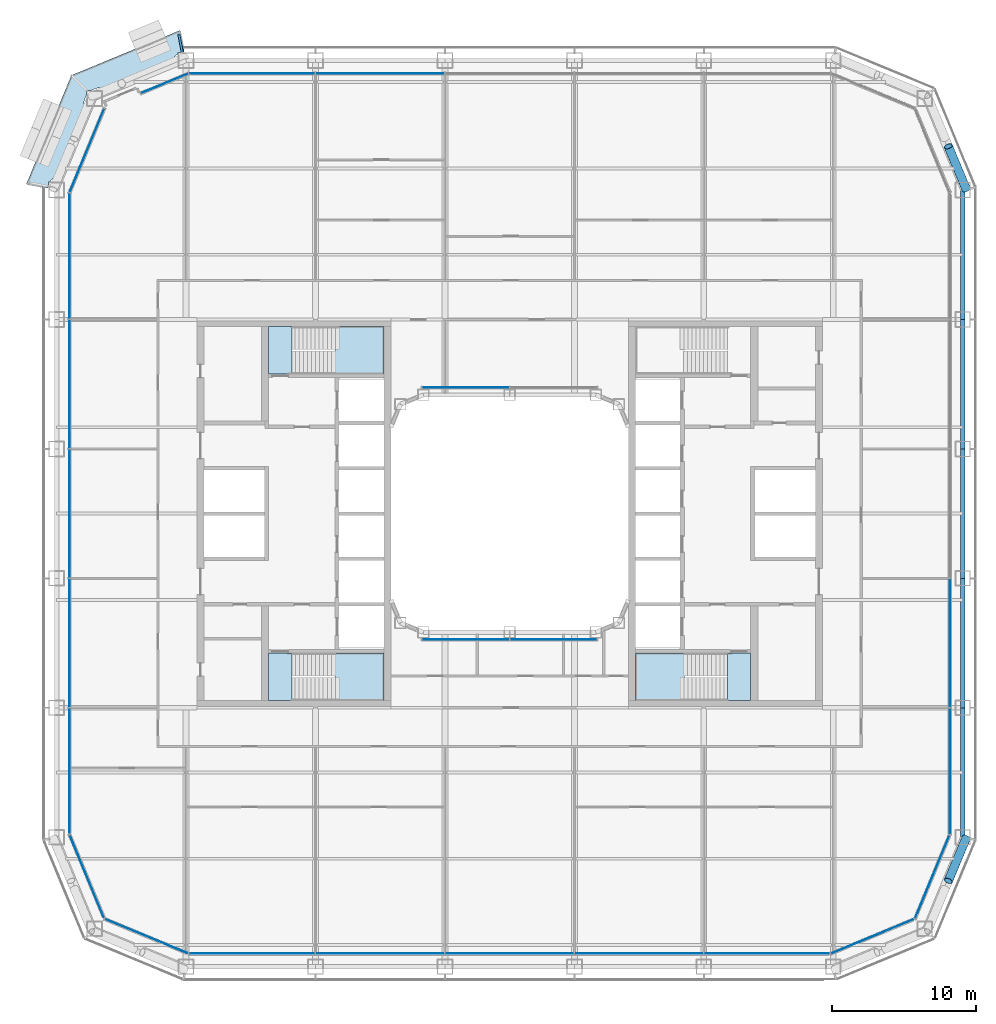
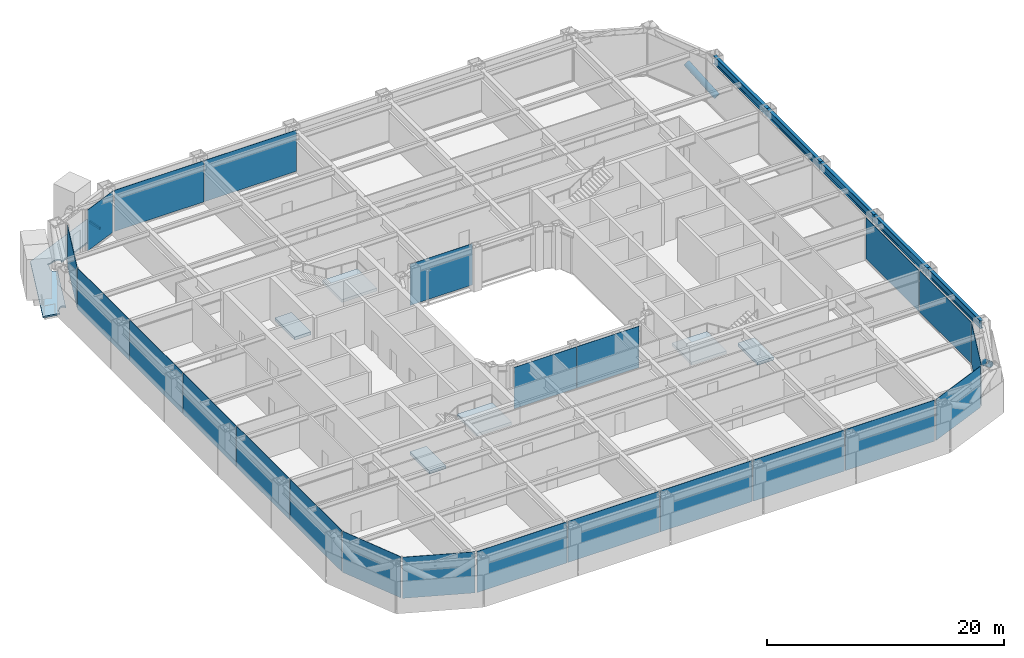
# One storey, part 11 of 28: 23 plates, 7 slabs, 6 beams, 2 members, 15 elements without a shape of their own.
"""IFC4 building model written with IfcOpenShell, lengths in metres."""

from ifc_helpers import new_model, si_unit, direction, frame, origin, origin_2d, place, context, subcontext, project, spatial, polyline, rectangle, hollow_rectangle, hollow_circle, i_section, outline, extrude, material, layer, layer_set, material_profile, profile_set, type_object, element, aggregate, save


model = new_model("IFC4")

# Units and contexts
model_context = context("Model", 3, precision=1e-05, world=origin(), true_north=direction((0.0, 1.0)))
body_context = subcontext(model_context, "Body", "Model", "MODEL_VIEW")
ifc_project = project(units=[si_unit("LENGTHUNIT", "METRE"), si_unit("AREAUNIT", "SQUARE_METRE"), si_unit("VOLUMEUNIT", "CUBIC_METRE"), si_unit("PLANEANGLEUNIT", "RADIAN"), si_unit("MASSUNIT", "GRAM", prefix="KILO")], contexts=[model_context])

# Site, building, storey
site_placement = place(None, origin())
site = spatial("IfcSite", under=ifc_project, at=site_placement, CompositionType="ELEMENT")
building_placement = place(site_placement, origin())
building = spatial("IfcBuilding", under=site, at=building_placement, Name="Siwar Civic Tower", CompositionType="ELEMENT")
storey_placement = place(building_placement, frame((0.0, 0.0, 31.199951171875)))
storey = spatial("IfcBuildingStorey", under=building, at=storey_placement, Name="L06", CompositionType="ELEMENT", Elevation=31.199951171875)

# Beam
ifc_material_1 = material(Name="Steel S355", Category="steel")
ifc_material_profile_1 = material_profile(ifc_material_1, hollow_rectangle(XDim=0.14990234375, YDim=0.25, WallThickness=0.010009765625, at=origin_2d()), Name="RHS250x150x10")
ifc_profile_set_1 = profile_set([ifc_material_profile_1], Name="Steel S355")
beam_type_1 = type_object("IfcBeamType", Name="ENV-BALCONY ARM", PredefinedType="BEAM", material=ifc_profile_set_1)
beam_placement = place(storey_placement, frame((-22.754150390625, 32.059814453125, -0.27490234375), z_axis=(-0.195017144127, 0.980799833553, 0.0), x_axis=(-0.980799833553, -0.195017144127, 0.0)))
element("IfcBeam", 1, at=beam_placement, inside=storey, type_object=beam_type_1, Name="Balcony cantilever beam NW 1", PredefinedType="BEAM", context=body_context, shape_type="SweptSolid", body=[
    extrude(hollow_rectangle(XDim=0.14990234375, YDim=0.25, WallThickness=0.010009765625, at=origin_2d()), origin(), (0.0, 0.0, 1.0), 1.324462890625),
])

# Members
ifc_material_2 = material(Name="Steel S355", Category="steel")
ifc_material_profile_2 = material_profile(ifc_material_2, hollow_circle(Radius=0.304931640625, WallThickness=0.030029296875, at=origin_2d()), Name="CHS610x30")
ifc_profile_set_2 = profile_set([ifc_material_profile_2], Name="Steel S355")
member_type = type_object("IfcMemberType", Name="STR-BR-CHS610x30", PredefinedType="BRACE", material=ifc_profile_set_2)
for number, where, z_axis, x_axis, name in (
    (2, (31.7451171875, -22.548828125, 0.0), (-0.323882123145, -0.777533059308, 0.539020140617), (0.923114847559, -0.384524353215, 0.0), "L06/brc/ASE1-5-0-2"),
    (3, (31.7451171875, 22.548828125, 0.0), (-0.323882123145, 0.777533059308, 0.539020140617), (-0.923114847559, -0.384524353215, 0.0), "L06/brc/ANE1-5-0-4"),
):
    element("IfcMember", number, at=place(storey_placement, frame(where, z_axis=z_axis, x_axis=x_axis)), inside=storey, type_object=member_type, Name=name, PredefinedType="BRACE", context=body_context, shape_type="SweptSolid", body=[
        extrude(hollow_circle(Radius=0.304931640625, WallThickness=0.030029296875, at=origin_2d()), origin(), (0.0, 0.0, 1.0), 3.843505859375),
    ])

# Beams
ifc_material_3 = material(Name="Steel S355", Category="steel")
ifc_material_profile_3 = material_profile(ifc_material_3, i_section(OverallWidth=0.302978515625, OverallDepth=0.81396484375, WebThickness=0.02099609375, FlangeThickness=0.0400390625, FilletRadius=0.030029296875, at=origin_2d()), Name="HEM800")
ifc_profile_set_3 = profile_set([ifc_material_profile_3], Name="Steel S355")
beam_type_2 = type_object("IfcBeamType", Name="STR-SB-HEM800", PredefinedType="BEAM", material=ifc_profile_set_3)
for number, where, z_axis, x_axis, name in (
    (4, (31.5, -22.5, 3.943115234375), (0.0, 1.0, 0.0), (-1.0, 0.0, 0.0), "L06/bm/SE-0"),
    (5, (31.5, -13.5, 3.943115234375), (0.0, 1.0, 0.0), (-1.0, 0.0, 0.0), "L06/bm/SE-1"),
    (6, (31.5, -4.5, 3.943115234375), (0.0, 1.0, 0.0), (-1.0, 0.0, 0.0), "L06/bm/SE-2"),
    (7, (31.5, 4.5, 3.943115234375), (0.0, 1.0, 0.0), (-1.0, 0.0, 0.0), "L06/bm/SE-3"),
    (8, (31.5, 13.5, 3.943115234375), (0.0, 1.0, 0.0), (-1.0, 0.0, 0.0), "L06/bm/SE-4"),
):
    element("IfcBeam", number, at=place(storey_placement, frame(where, z_axis=z_axis, x_axis=x_axis)), inside=storey, type_object=beam_type_2, Name=name, PredefinedType="BEAM", context=body_context, shape_type="SweptSolid", body=[
        extrude(i_section(OverallWidth=0.302978515625, OverallDepth=0.81396484375, WebThickness=0.02099609375, FlangeThickness=0.0400390625, FilletRadius=0.030029296875, at=origin_2d()), origin(), (0.0, 0.0, 1.0), 9.0),
    ])

# Stair, slabs
ifc_material_4 = material(Name="Concrete C40/50", Category="concrete")
stair_type = type_object("IfcStairType", Name="CORE-STAIR", PredefinedType="TWO_STRAIGHT_RUN_STAIR", material=ifc_material_4)
stair_1_placement = place(storey_placement, origin())
stair_1 = element("IfcStair", 9, at=stair_1_placement, inside=storey, type_object=stair_type, Name="Exit stair ST1", PredefinedType="TWO_STRAIGHT_RUN_STAIR")
ifc_material_5 = material(Name="Concrete C40/50", Category="concrete")
ifc_layer_1 = layer(ifc_material_5, 0.300048828125)
ifc_layer_set_1 = layer_set([ifc_layer_1], Name="Concrete C40/50")
slab_type_1 = type_object("IfcSlabType", Name="CORE-STAIR-LANDING", PredefinedType="LANDING", material=ifc_layer_set_1)
slab_1_placement = place(storey_placement, frame((0.0, 0.0, -0.300048828125)))
slab_1 = element("IfcSlab", 10, at=slab_1_placement, type_object=slab_type_1, Name="ST1 landing 1", PredefinedType="LANDING", context=body_context, shape_type="SweptSolid", body=[
    extrude(outline(polyline([(-15.14990234375, 13.0), (-16.75, 13.0), (-16.75, 9.699951171875), (-15.14990234375, 9.699951171875), (-15.14990234375, 13.0)])), origin(), (0.0, 0.0, 1.0), 0.300048828125),
])
slab_2_placement = place(storey_placement, frame((0.0, 0.0, 1.949951171875)))
slab_2 = element("IfcSlab", 11, at=slab_2_placement, type_object=slab_type_1, Name="ST1 landing 2", PredefinedType="LANDING", context=body_context, shape_type="SweptSolid", body=[
    extrude(outline(polyline([(-8.75, 13.0), (-12.139892578125, 13.0), (-12.139892578125, 9.699951171875), (-8.75, 9.699951171875), (-8.75, 13.0)])), origin(), (0.0, 0.0, 1.0), 0.300048828125),
])
aggregate(stair_1, [slab_1, slab_2])

stair_2_placement = place(storey_placement, origin())
stair_2 = element("IfcStair", 12, at=stair_2_placement, inside=storey, type_object=stair_type, Name="Exit stair ST2", PredefinedType="TWO_STRAIGHT_RUN_STAIR")
slab_3_placement = place(storey_placement, frame((0.0, 0.0, -0.300048828125)))
slab_3 = element("IfcSlab", 13, at=slab_3_placement, type_object=slab_type_1, Name="ST2 landing 1", PredefinedType="LANDING", context=body_context, shape_type="SweptSolid", body=[
    extrude(outline(polyline([(-15.14990234375, -9.699951171875), (-16.75, -9.699951171875), (-16.75, -13.0), (-15.14990234375, -13.0), (-15.14990234375, -9.699951171875)])), origin(), (0.0, 0.0, 1.0), 0.300048828125),
])
slab_4_placement = place(storey_placement, frame((0.0, 0.0, 1.949951171875)))
slab_4 = element("IfcSlab", 14, at=slab_4_placement, type_object=slab_type_1, Name="ST2 landing 2", PredefinedType="LANDING", context=body_context, shape_type="SweptSolid", body=[
    extrude(outline(polyline([(-8.75, -9.699951171875), (-12.139892578125, -9.699951171875), (-12.139892578125, -13.0), (-8.75, -13.0), (-8.75, -9.699951171875)])), origin(), (0.0, 0.0, 1.0), 0.300048828125),
])
aggregate(stair_2, [slab_3, slab_4])

stair_3_placement = place(storey_placement, origin())
stair_3 = element("IfcStair", 15, at=stair_3_placement, inside=storey, type_object=stair_type, Name="Exit stair ST4", PredefinedType="TWO_STRAIGHT_RUN_STAIR")
slab_5_placement = place(storey_placement, frame((0.0, 0.0, -0.300048828125)))
slab_5 = element("IfcSlab", 16, at=slab_5_placement, type_object=slab_type_1, Name="ST4 landing 1", PredefinedType="LANDING", context=body_context, shape_type="SweptSolid", body=[
    extrude(outline(polyline([(15.14990234375, -13.0), (16.75, -13.0), (16.75, -9.699951171875), (15.14990234375, -9.699951171875), (15.14990234375, -13.0)])), origin(), (0.0, 0.0, 1.0), 0.300048828125),
])
slab_6_placement = place(storey_placement, frame((0.0, 0.0, 1.949951171875)))
slab_6 = element("IfcSlab", 17, at=slab_6_placement, type_object=slab_type_1, Name="ST4 landing 2", PredefinedType="LANDING", context=body_context, shape_type="SweptSolid", body=[
    extrude(outline(polyline([(8.75, -13.0), (12.139892578125, -13.0), (12.139892578125, -9.699951171875), (8.75, -9.699951171875), (8.75, -13.0)])), origin(), (0.0, 0.0, 1.0), 0.300048828125),
])
aggregate(stair_3, [slab_5, slab_6])

# Slab
ifc_material_6 = material(Name="Concrete C40/50", Category="concrete")
ifc_layer_2 = layer(ifc_material_6, 0.14990234375)
ifc_layer_set_2 = layer_set([ifc_layer_2], Name="Concrete C40/50")
slab_type_2 = type_object("IfcSlabType", Name="ENV-BALCONY DECK 150", PredefinedType="FLOOR", material=ifc_layer_set_2)
slab_7_placement = place(storey_placement, frame((0.0, 0.0, -0.1494140625)))
element("IfcSlab", 18, at=slab_7_placement, inside=storey, type_object=slab_type_2, Name="Tree balcony deck NW", PredefinedType="FLOOR", context=body_context, shape_type="SweptSolid", body=[
    extrude(outline(polyline([(-29.4140625, 29.4140625), (-29.133056640625, 29.4140625), (-28.977294921875, 29.478759765625), (-28.9462890625, 29.49169921875), (-28.891845703125, 29.514404296875), (-28.884033203125, 29.517578125), (-28.881591796875, 29.5185546875), (-28.814208984375, 29.5439453125), (-28.80908203125, 29.545654296875), (-28.739990234375, 29.56591796875), (-28.73486328125, 29.567138671875), (-28.66455078125, 29.58251953125), (-28.6572265625, 29.583984375), (-28.59375, 29.591064453125), (-28.59130859375, 29.59130859375), (-28.51953125, 29.59716796875), (-28.51318359375, 29.597412109375), (-28.506591796875, 29.59716796875), (-28.45068359375, 29.592041015625), (-28.445068359375, 29.59130859375), (-28.389404296875, 29.58203125), (-28.38427734375, 29.5810546875), (-28.32958984375, 29.56787109375), (-28.3232421875, 29.566162109375), (-28.3173828125, 29.56396484375), (-28.271484375, 29.544189453125), (-28.264404296875, 29.540771484375), (-28.2578125, 29.53662109375), (-28.221435546875, 29.5107421875), (-28.216552734375, 29.507080078125), (-28.2119140625, 29.502685546875), (-28.20751953125, 29.498291015625), (-28.180908203125, 29.467041015625), (-28.1767578125, 29.46142578125), (-28.173095703125, 29.45556640625), (-28.169921875, 29.449462890625), (-28.1533203125, 29.413330078125), (-28.151123046875, 29.408447265625), (-28.13720703125, 29.37109375), (-28.135009765625, 29.364501953125), (-28.133544921875, 29.35791015625), (-28.132568359375, 29.35107421875), (-28.129150390625, 29.31005859375), (-28.12890625, 29.3037109375), (-28.129150390625, 29.297607421875), (-28.1298828125, 29.29150390625), (-28.137451171875, 29.247314453125), (-28.13916015625, 29.23974609375), (-28.1416015625, 29.232177734375), (-28.159912109375, 29.185791015625), (-28.16259765625, 29.179931640625), (-28.16552734375, 29.17431640625), (-28.182861328125, 29.14599609375), (-23.210693359375, 31.20556640625), (-23.260986328125, 31.217529296875), (-23.26708984375, 31.21923828125), (-23.273193359375, 31.2216796875), (-23.31884765625, 31.2412109375), (-23.325927734375, 31.244873046875), (-23.332763671875, 31.2490234375), (-23.369140625, 31.274658203125), (-23.3740234375, 31.278564453125), (-23.378662109375, 31.28271484375), (-23.3828125, 31.287353515625), (-23.40966796875, 31.318603515625), (-23.413818359375, 31.323974609375), (-23.41748046875, 31.329833984375), (-23.420654296875, 31.3359375), (-23.437255859375, 31.3720703125), (-23.439453125, 31.376953125), (-23.453369140625, 31.414306640625), (-23.45556640625, 31.4208984375), (-23.45703125, 31.427734375), (-23.4580078125, 31.4345703125), (-23.46142578125, 31.4755859375), (-23.461669921875, 31.481689453125), (-23.461181640625, 31.488037109375), (-23.46044921875, 31.494140625), (-23.453125, 31.5380859375), (-23.451416015625, 31.5458984375), (-23.448974609375, 31.55322265625), (-23.4306640625, 31.599609375), (-23.427978515625, 31.60546875), (-23.4248046875, 31.611083984375), (-23.3955078125, 31.659423828125), (-23.392578125, 31.66357421875), (-23.360107421875, 31.709716796875), (-23.353515625, 31.717529296875), (-23.309814453125, 31.764404296875), (-23.30615234375, 31.76806640625), (-23.25927734375, 31.8115234375), (-23.255126953125, 31.815185546875), (-23.205322265625, 31.85498046875), (-23.198974609375, 31.859619140625), (-23.138671875, 31.898681640625), (-23.134033203125, 31.9013671875), (-23.07080078125, 31.93603515625), (-23.06591796875, 31.9384765625), (-23.050048828125, 31.94580078125), (-23.050048828125, 32.050048828125), (-22.80517578125, 32.050048828125), (-22.70263671875, 32.0927734375), (-22.69482421875, 32.095947265625), (-22.69482421875, 32.095947265625), (-22.688232421875, 32.098388671875), (-22.662109375, 32.1064453125), (-22.6552734375, 32.108154296875), (-22.648193359375, 32.109375), (-22.621826171875, 32.1123046875), (-22.917724609375, 33.60009765625), (-30.47119140625, 30.47119140625), (-33.60009765625, 22.917724609375), (-32.1083984375, 22.62109375), (-32.1083984375, 22.6259765625), (-32.107421875, 22.6484375), (-32.107421875, 22.649658203125), (-32.107421875, 22.6513671875), (-32.10693359375, 22.655029296875), (-32.106689453125, 22.656982421875), (-32.1064453125, 22.65771484375), (-32.1064453125, 22.658447265625), (-32.104736328125, 22.66552734375), (-32.098876953125, 22.686279296875), (-32.095947265625, 22.69482421875), (-32.0927734375, 22.70263671875), (-32.085693359375, 22.719970703125), (-32.0830078125, 22.72607421875), (-32.0732421875, 22.749267578125), (-32.0693359375, 22.7587890625), (-32.050048828125, 22.80517578125), (-32.050048828125, 23.050048828125), (-31.94580078125, 23.050048828125), (-31.9384765625, 23.06591796875), (-31.93603515625, 23.07080078125), (-31.9013671875, 23.134033203125), (-31.898681640625, 23.138671875), (-31.859619140625, 23.198974609375), (-31.85498046875, 23.205322265625), (-31.815185546875, 23.255126953125), (-31.8115234375, 23.25927734375), (-31.76806640625, 23.30615234375), (-31.764404296875, 23.309814453125), (-31.717529296875, 23.353515625), (-31.709716796875, 23.360107421875), (-31.66357421875, 23.392578125), (-31.659423828125, 23.3955078125), (-31.611083984375, 23.4248046875), (-31.60546875, 23.427978515625), (-31.599609375, 23.4306640625), (-31.55322265625, 23.448974609375), (-31.5458984375, 23.451416015625), (-31.5380859375, 23.453125), (-31.494140625, 23.46044921875), (-31.488037109375, 23.461181640625), (-31.481689453125, 23.461669921875), (-31.4755859375, 23.46142578125), (-31.4345703125, 23.4580078125), (-31.427734375, 23.45703125), (-31.4208984375, 23.45556640625), (-31.414306640625, 23.453369140625), (-31.376953125, 23.439453125), (-31.3720703125, 23.437255859375), (-31.3359375, 23.420654296875), (-31.329833984375, 23.41748046875), (-31.323974609375, 23.413818359375), (-31.318603515625, 23.40966796875), (-31.287353515625, 23.3828125), (-31.28271484375, 23.378662109375), (-31.278564453125, 23.3740234375), (-31.274658203125, 23.369140625), (-31.2490234375, 23.332763671875), (-31.244873046875, 23.325927734375), (-31.2412109375, 23.31884765625), (-31.2216796875, 23.273193359375), (-31.21923828125, 23.26708984375), (-31.217529296875, 23.260986328125), (-31.20556640625, 23.210693359375), (-29.14599609375, 28.182861328125), (-29.17431640625, 28.16552734375), (-29.179931640625, 28.16259765625), (-29.185791015625, 28.159912109375), (-29.232177734375, 28.1416015625), (-29.23974609375, 28.13916015625), (-29.247314453125, 28.137451171875), (-29.29150390625, 28.1298828125), (-29.297607421875, 28.129150390625), (-29.3037109375, 28.12890625), (-29.31005859375, 28.129150390625), (-29.35107421875, 28.132568359375), (-29.35791015625, 28.133544921875), (-29.364501953125, 28.135009765625), (-29.37109375, 28.13720703125), (-29.408447265625, 28.151123046875), (-29.413330078125, 28.1533203125), (-29.449462890625, 28.169921875), (-29.45556640625, 28.173095703125), (-29.46142578125, 28.1767578125), (-29.467041015625, 28.180908203125), (-29.498291015625, 28.20751953125), (-29.502685546875, 28.2119140625), (-29.507080078125, 28.216552734375), (-29.5107421875, 28.221435546875), (-29.53662109375, 28.2578125), (-29.540771484375, 28.264404296875), (-29.544189453125, 28.271484375), (-29.56396484375, 28.3173828125), (-29.566162109375, 28.3232421875), (-29.56787109375, 28.32958984375), (-29.5810546875, 28.38427734375), (-29.58203125, 28.389404296875), (-29.59130859375, 28.445068359375), (-29.592041015625, 28.45068359375), (-29.59716796875, 28.506591796875), (-29.597412109375, 28.51318359375), (-29.59716796875, 28.51953125), (-29.59130859375, 28.59130859375), (-29.591064453125, 28.59375), (-29.583984375, 28.6572265625), (-29.58251953125, 28.66455078125), (-29.567138671875, 28.73486328125), (-29.56591796875, 28.739990234375), (-29.545654296875, 28.80908203125), (-29.5439453125, 28.814208984375), (-29.5185546875, 28.881591796875), (-29.517578125, 28.884033203125), (-29.514404296875, 28.891845703125), (-29.49169921875, 28.9462890625), (-29.478759765625, 28.977294921875), (-29.425537109375, 29.10546875), (-29.420654296875, 29.116943359375), (-29.4140625, 29.133056640625), (-29.4140625, 29.4140625)])), origin(), (0.0, 0.0, 1.0), 0.1494140625),
])

# Curtain wall, plates
ifc_material_7 = material(Name="Aluminium and glass", Category="aluminium")
ifc_layer_3 = layer(ifc_material_7, 0.219970703125)
ifc_layer_set_3 = layer_set([ifc_layer_3], Name="Aluminium and glass")
curtain_wall_type_1 = type_object("IfcCurtainWallType", Name="ENV-CW-A", PredefinedType="NOTDEFINED", material=ifc_layer_set_3)
curtain_wall_1_placement = place(storey_placement, origin())
curtain_wall_1 = element("IfcCurtainWall", 19, at=curtain_wall_1_placement, inside=storey, type_object=curtain_wall_type_1, Name="Curtain wall A S", PredefinedType="NOTDEFINED")
ifc_material_8 = material(Name="Glass clear laminated", Category="glass")
ifc_layer_4 = layer(ifc_material_8, 0.035888671875)
ifc_layer_set_4 = layer_set([ifc_layer_4], Name="Glass clear laminated")
plate_type_1 = type_object("IfcPlateType", Name="ENV-PANEL-A", PredefinedType="CURTAIN_PANEL", material=ifc_layer_set_4)
plate_1_placement = place(storey_placement, frame((-17.910400390625, -30.60009765625, 0.1201171875), z_axis=(0.0, 0.0, 1.0), x_axis=(1.0, 0.0, 0.0)))
plate_1 = element("IfcPlate", 20, at=plate_1_placement, type_object=plate_type_1, Name="Curtain panel A S 1", PredefinedType="CURTAIN_PANEL", context=body_context, shape_type="SweptSolid", body=[
    extrude(rectangle(XDim=8.7509765625, YDim=0.035888671875, at=origin_2d()), origin(), (0.0, 0.0, 1.0), 4.22998046875),
])
plate_2_placement = place(storey_placement, frame((-9.0, -30.60009765625, 0.1201171875), z_axis=(0.0, 0.0, 1.0), x_axis=(1.0, 0.0, 0.0)))
plate_2 = element("IfcPlate", 21, at=plate_2_placement, type_object=plate_type_1, Name="Curtain panel A S 2", PredefinedType="CURTAIN_PANEL", context=body_context, shape_type="SweptSolid", body=[
    extrude(rectangle(XDim=8.929931640625, YDim=0.035888671875, at=origin_2d()), origin(), (0.0, 0.0, 1.0), 4.22998046875),
])
plate_3_placement = place(storey_placement, frame((0.0, -30.60009765625, 0.1201171875), z_axis=(0.0, 0.0, 1.0), x_axis=(1.0, 0.0, 0.0)))
plate_3 = element("IfcPlate", 22, at=plate_3_placement, type_object=plate_type_1, Name="Curtain panel A S 3", PredefinedType="CURTAIN_PANEL", context=body_context, shape_type="SweptSolid", body=[
    extrude(rectangle(XDim=8.929931640625, YDim=0.035888671875, at=origin_2d()), origin(), (0.0, 0.0, 1.0), 4.22998046875),
])
plate_4_placement = place(storey_placement, frame((9.0, -30.60009765625, 0.1201171875), z_axis=(0.0, 0.0, 1.0), x_axis=(1.0, 0.0, 0.0)))
plate_4 = element("IfcPlate", 23, at=plate_4_placement, type_object=plate_type_1, Name="Curtain panel A S 4", PredefinedType="CURTAIN_PANEL", context=body_context, shape_type="SweptSolid", body=[
    extrude(rectangle(XDim=8.929931640625, YDim=0.035888671875, at=origin_2d()), origin(), (0.0, 0.0, 1.0), 4.22998046875),
])
plate_5_placement = place(storey_placement, frame((17.86669921875, -30.60009765625, 0.1201171875), z_axis=(0.0, 0.0, 1.0), x_axis=(1.0, 0.0, 0.0)))
plate_5 = element("IfcPlate", 24, at=plate_5_placement, type_object=plate_type_1, Name="Curtain panel A S 5", PredefinedType="CURTAIN_PANEL", context=body_context, shape_type="SweptSolid", body=[
    extrude(rectangle(XDim=8.663330078125, YDim=0.035888671875, at=origin_2d()), origin(), (0.0, 0.0, 1.0), 4.22998046875),
])
aggregate(curtain_wall_1, [plate_1, plate_2, plate_3, plate_4, plate_5])

curtain_wall_2_placement = place(storey_placement, origin())
curtain_wall_2 = element("IfcCurtainWall", 25, at=curtain_wall_2_placement, inside=storey, type_object=curtain_wall_type_1, Name="Curtain wall A E", PredefinedType="NOTDEFINED")
plate_6_placement = place(storey_placement, frame((30.60009765625, -17.910400390625, 0.1201171875), z_axis=(0.0, 0.0, 1.0), x_axis=(0.0, 1.0, 0.0)))
plate_6 = element("IfcPlate", 26, at=plate_6_placement, type_object=plate_type_1, Name="Curtain panel A E 1", PredefinedType="CURTAIN_PANEL", context=body_context, shape_type="SweptSolid", body=[
    extrude(rectangle(XDim=8.7509765625, YDim=0.035888671875, at=origin_2d()), origin(), (0.0, 0.0, 1.0), 4.22998046875),
])
plate_7_placement = place(storey_placement, frame((30.60009765625, -9.0, 0.1201171875), z_axis=(0.0, 0.0, 1.0), x_axis=(0.0, 1.0, 0.0)))
plate_7 = element("IfcPlate", 27, at=plate_7_placement, type_object=plate_type_1, Name="Curtain panel A E 2", PredefinedType="CURTAIN_PANEL", context=body_context, shape_type="SweptSolid", body=[
    extrude(rectangle(XDim=8.929931640625, YDim=0.035888671875, at=origin_2d()), origin(), (0.0, 0.0, 1.0), 4.22998046875),
])
aggregate(curtain_wall_2, [plate_6, plate_7])

curtain_wall_3_placement = place(storey_placement, origin())
curtain_wall_3 = element("IfcCurtainWall", 28, at=curtain_wall_3_placement, inside=storey, type_object=curtain_wall_type_1, Name="Curtain wall A N", PredefinedType="NOTDEFINED")
plate_8_placement = place(storey_placement, frame((-9.0, 30.60009765625, 0.1201171875), z_axis=(0.0, 0.0, 1.0), x_axis=(-1.0, 0.0, 0.0)))
plate_8 = element("IfcPlate", 29, at=plate_8_placement, type_object=plate_type_1, Name="Curtain panel A N 4", PredefinedType="CURTAIN_PANEL", context=body_context, shape_type="SweptSolid", body=[
    extrude(rectangle(XDim=8.929931640625, YDim=0.035888671875, at=origin_2d()), origin(), (0.0, 0.0, 1.0), 4.22998046875),
])
plate_9_placement = place(storey_placement, frame((-17.86669921875, 30.60009765625, 0.1201171875), z_axis=(0.0, 0.0, 1.0), x_axis=(-1.0, 0.0, 0.0)))
plate_9 = element("IfcPlate", 30, at=plate_9_placement, type_object=plate_type_1, Name="Curtain panel A N 5", PredefinedType="CURTAIN_PANEL", context=body_context, shape_type="SweptSolid", body=[
    extrude(rectangle(XDim=8.663330078125, YDim=0.035888671875, at=origin_2d()), origin(), (0.0, 0.0, 1.0), 4.22998046875),
])
aggregate(curtain_wall_3, [plate_8, plate_9])

curtain_wall_4_placement = place(storey_placement, origin())
curtain_wall_4 = element("IfcCurtainWall", 31, at=curtain_wall_4_placement, inside=storey, type_object=curtain_wall_type_1, Name="Curtain wall A W", PredefinedType="NOTDEFINED")
plate_10_placement = place(storey_placement, frame((-30.60009765625, 17.910400390625, 0.1201171875), z_axis=(0.0, 0.0, 1.0), x_axis=(0.0, -1.0, 0.0)))
plate_10 = element("IfcPlate", 32, at=plate_10_placement, type_object=plate_type_1, Name="Curtain panel A W 1", PredefinedType="CURTAIN_PANEL", context=body_context, shape_type="SweptSolid", body=[
    extrude(rectangle(XDim=8.7509765625, YDim=0.035888671875, at=origin_2d()), origin(), (0.0, 0.0, 1.0), 4.22998046875),
])
plate_11_placement = place(storey_placement, frame((-30.60009765625, 9.0, 0.1201171875), z_axis=(0.0, 0.0, 1.0), x_axis=(0.0, -1.0, 0.0)))
plate_11 = element("IfcPlate", 33, at=plate_11_placement, type_object=plate_type_1, Name="Curtain panel A W 2", PredefinedType="CURTAIN_PANEL", context=body_context, shape_type="SweptSolid", body=[
    extrude(rectangle(XDim=8.929931640625, YDim=0.035888671875, at=origin_2d()), origin(), (0.0, 0.0, 1.0), 4.22998046875),
])
plate_12_placement = place(storey_placement, frame((-30.60009765625, 0.0, 0.1201171875), z_axis=(0.0, 0.0, 1.0), x_axis=(0.0, -1.0, 0.0)))
plate_12 = element("IfcPlate", 34, at=plate_12_placement, type_object=plate_type_1, Name="Curtain panel A W 3", PredefinedType="CURTAIN_PANEL", context=body_context, shape_type="SweptSolid", body=[
    extrude(rectangle(XDim=8.929931640625, YDim=0.035888671875, at=origin_2d()), origin(), (0.0, 0.0, 1.0), 4.22998046875),
])
plate_13_placement = place(storey_placement, frame((-30.60009765625, -9.0, 0.1201171875), z_axis=(0.0, 0.0, 1.0), x_axis=(0.0, -1.0, 0.0)))
plate_13 = element("IfcPlate", 35, at=plate_13_placement, type_object=plate_type_1, Name="Curtain panel A W 4", PredefinedType="CURTAIN_PANEL", context=body_context, shape_type="SweptSolid", body=[
    extrude(rectangle(XDim=8.929931640625, YDim=0.035888671875, at=origin_2d()), origin(), (0.0, 0.0, 1.0), 4.22998046875),
])
plate_14_placement = place(storey_placement, frame((-30.60009765625, -17.86669921875, 0.1201171875), z_axis=(0.0, 0.0, 1.0), x_axis=(0.0, -1.0, 0.0)))
plate_14 = element("IfcPlate", 36, at=plate_14_placement, type_object=plate_type_1, Name="Curtain panel A W 5", PredefinedType="CURTAIN_PANEL", context=body_context, shape_type="SweptSolid", body=[
    extrude(rectangle(XDim=8.663330078125, YDim=0.035888671875, at=origin_2d()), origin(), (0.0, 0.0, 1.0), 4.22998046875),
])
aggregate(curtain_wall_4, [plate_10, plate_11, plate_12, plate_13, plate_14])

# Curtain wall, plate
ifc_material_9 = material(Name="Aluminium clad insulated panel", Category="aluminium")
ifc_layer_5 = layer(ifc_material_9, 0.219970703125)
ifc_layer_set_5 = layer_set([ifc_layer_5], Name="Aluminium clad insulated panel")
curtain_wall_type_2 = type_object("IfcCurtainWallType", Name="ENV-CW-AX", PredefinedType="NOTDEFINED", material=ifc_layer_set_5)
curtain_wall_5_placement = place(storey_placement, origin())
curtain_wall_5 = element("IfcCurtainWall", 37, at=curtain_wall_5_placement, inside=storey, type_object=curtain_wall_type_2, Name="Curtain wall A SE1", PredefinedType="NOTDEFINED")
ifc_material_10 = material(Name="Aluminium clad insulated panel", Category="aluminium")
ifc_layer_6 = layer(ifc_material_10, 0.035888671875)
ifc_layer_set_6 = layer_set([ifc_layer_6], Name="Aluminium clad insulated panel")
plate_type_2 = type_object("IfcPlateType", Name="ENV-PANEL-AX", PredefinedType="CURTAIN_PANEL", material=ifc_layer_set_6)
plate_15_placement = place(storey_placement, frame((25.20751953125, -29.404296875, 0.1201171875), z_axis=(0.0, 0.0, 1.0), x_axis=(0.923879532511, 0.382683432365, 0.0)))
plate_15 = element("IfcPlate", 38, at=plate_15_placement, type_object=plate_type_2, Name="Curtain panel A SE1 1", PredefinedType="CURTAIN_PANEL", context=body_context, shape_type="SweptSolid", body=[
    extrude(rectangle(XDim=6.178955078125, YDim=0.035888671875, at=origin_2d()), origin(), (0.0, 0.0, 1.0), 4.22998046875),
])
aggregate(curtain_wall_5, [plate_15])

curtain_wall_6_placement = place(storey_placement, origin())
curtain_wall_6 = element("IfcCurtainWall", 39, at=curtain_wall_6_placement, inside=storey, type_object=curtain_wall_type_2, Name="Curtain wall A SE2", PredefinedType="NOTDEFINED")
plate_16_placement = place(storey_placement, frame((29.370849609375, -25.28857421875, 0.1201171875), z_axis=(0.0, 0.0, 1.0), x_axis=(0.382683432365, 0.923879532511, 0.0)))
plate_16 = element("IfcPlate", 40, at=plate_16_placement, type_object=plate_type_2, Name="Curtain panel A SE2 1", PredefinedType="CURTAIN_PANEL", context=body_context, shape_type="SweptSolid", body=[
    extrude(rectangle(XDim=6.178955078125, YDim=0.035888671875, at=origin_2d()), origin(), (0.0, 0.0, 1.0), 4.22998046875),
])
aggregate(curtain_wall_6, [plate_16])

curtain_wall_7_placement = place(storey_placement, origin())
curtain_wall_7 = element("IfcCurtainWall", 41, at=curtain_wall_7_placement, inside=storey, type_object=curtain_wall_type_2, Name="Curtain wall A NW1", PredefinedType="NOTDEFINED")
plate_17_placement = place(storey_placement, frame((-23.9873046875, 29.90966796875, 0.1201171875), z_axis=(0.0, 0.0, 1.0), x_axis=(-0.923879532511, -0.382683432365, 0.0)))
plate_17 = element("IfcPlate", 42, at=plate_17_placement, type_object=plate_type_2, Name="Curtain panel A NW1 1", PredefinedType="CURTAIN_PANEL", context=body_context, shape_type="SweptSolid", body=[
    extrude(rectangle(XDim=3.537353515625, YDim=0.035888671875, at=origin_2d()), origin(), (0.0, 0.0, 1.0), 4.22998046875),
])
aggregate(curtain_wall_7, [plate_17])

curtain_wall_8_placement = place(storey_placement, origin())
curtain_wall_8 = element("IfcCurtainWall", 43, at=curtain_wall_8_placement, inside=storey, type_object=curtain_wall_type_2, Name="Curtain wall A NW2", PredefinedType="NOTDEFINED")
plate_18_placement = place(storey_placement, frame((-29.370849609375, 25.28857421875, 0.1201171875), z_axis=(0.0, 0.0, 1.0), x_axis=(-0.382683432365, -0.923879532511, 0.0)))
plate_18 = element("IfcPlate", 44, at=plate_18_placement, type_object=plate_type_2, Name="Curtain panel A NW2 1", PredefinedType="CURTAIN_PANEL", context=body_context, shape_type="SweptSolid", body=[
    extrude(rectangle(XDim=6.178955078125, YDim=0.035888671875, at=origin_2d()), origin(), (0.0, 0.0, 1.0), 4.22998046875),
])
aggregate(curtain_wall_8, [plate_18])

curtain_wall_9_placement = place(storey_placement, origin())
curtain_wall_9 = element("IfcCurtainWall", 45, at=curtain_wall_9_placement, inside=storey, type_object=curtain_wall_type_2, Name="Curtain wall A SW1", PredefinedType="NOTDEFINED")
plate_19_placement = place(storey_placement, frame((-29.404296875, -25.20751953125, 0.1201171875), z_axis=(0.0, 0.0, 1.0), x_axis=(0.382683432365, -0.923879532511, 0.0)))
plate_19 = element("IfcPlate", 46, at=plate_19_placement, type_object=plate_type_2, Name="Curtain panel A SW1 1", PredefinedType="CURTAIN_PANEL", context=body_context, shape_type="SweptSolid", body=[
    extrude(rectangle(XDim=6.178955078125, YDim=0.035888671875, at=origin_2d()), origin(), (0.0, 0.0, 1.0), 4.22998046875),
])
aggregate(curtain_wall_9, [plate_19])

curtain_wall_10_placement = place(storey_placement, origin())
curtain_wall_10 = element("IfcCurtainWall", 47, at=curtain_wall_10_placement, inside=storey, type_object=curtain_wall_type_2, Name="Curtain wall A SW2", PredefinedType="NOTDEFINED")
plate_20_placement = place(storey_placement, frame((-25.28857421875, -29.370849609375, 0.1201171875), z_axis=(0.0, 0.0, 1.0), x_axis=(0.923879532511, -0.382683432365, 0.0)))
plate_20 = element("IfcPlate", 48, at=plate_20_placement, type_object=plate_type_2, Name="Curtain panel A SW2 1", PredefinedType="CURTAIN_PANEL", context=body_context, shape_type="SweptSolid", body=[
    extrude(rectangle(XDim=6.178955078125, YDim=0.035888671875, at=origin_2d()), origin(), (0.0, 0.0, 1.0), 4.22998046875),
])
aggregate(curtain_wall_10, [plate_20])

# Curtain wall, plates
ifc_material_11 = material(Name="Aluminium and glass", Category="aluminium")
ifc_layer_7 = layer(ifc_material_11, 0.179931640625)
ifc_layer_set_7 = layer_set([ifc_layer_7], Name="Aluminium and glass")
curtain_wall_type_3 = type_object("IfcCurtainWallType", Name="ENV-CW-W", PredefinedType="NOTDEFINED", material=ifc_layer_set_7)
curtain_wall_11_placement = place(storey_placement, origin())
curtain_wall_11 = element("IfcCurtainWall", 49, at=curtain_wall_11_placement, inside=storey, type_object=curtain_wall_type_3, Name="Curtain wall W WS", PredefinedType="NOTDEFINED")
ifc_material_12 = material(Name="Glass clear laminated", Category="glass")
ifc_layer_8 = layer(ifc_material_12, 0.031982421875)
ifc_layer_set_8 = layer_set([ifc_layer_8], Name="Glass clear laminated")
plate_type_3 = type_object("IfcPlateType", Name="ENV-PANEL-W", PredefinedType="CURTAIN_PANEL", material=ifc_layer_set_8)
plate_21_placement = place(storey_placement, frame((-3.05078125, -8.760009765625, 0.10009765625), z_axis=(0.0, 0.0, 1.0), x_axis=(1.0, 0.0, 0.0)))
plate_21 = element("IfcPlate", 50, at=plate_21_placement, type_object=plate_type_3, Name="Curtain panel W WS 1", PredefinedType="CURTAIN_PANEL", context=body_context, shape_type="SweptSolid", body=[
    extrude(rectangle(XDim=6.04150390625, YDim=0.031982421875, at=origin_2d()), origin(), (0.0, 0.0, 1.0), 4.25),
])
plate_22_placement = place(storey_placement, frame((3.05078125, -8.760009765625, 0.10009765625), z_axis=(0.0, 0.0, 1.0), x_axis=(1.0, 0.0, 0.0)))
plate_22 = element("IfcPlate", 51, at=plate_22_placement, type_object=plate_type_3, Name="Curtain panel W WS 2", PredefinedType="CURTAIN_PANEL", context=body_context, shape_type="SweptSolid", body=[
    extrude(rectangle(XDim=6.04150390625, YDim=0.031982421875, at=origin_2d()), origin(), (0.0, 0.0, 1.0), 4.25),
])
aggregate(curtain_wall_11, [plate_21, plate_22])

# Curtain wall, plate
curtain_wall_12_placement = place(storey_placement, origin())
curtain_wall_12 = element("IfcCurtainWall", 52, at=curtain_wall_12_placement, inside=storey, type_object=curtain_wall_type_3, Name="Curtain wall W WN", PredefinedType="NOTDEFINED")
plate_23_placement = place(storey_placement, frame((-3.05078125, 8.760009765625, 0.10009765625), z_axis=(0.0, 0.0, 1.0), x_axis=(-1.0, 0.0, 0.0)))
plate_23 = element("IfcPlate", 53, at=plate_23_placement, type_object=plate_type_3, Name="Curtain panel W WN 2", PredefinedType="CURTAIN_PANEL", context=body_context, shape_type="SweptSolid", body=[
    extrude(rectangle(XDim=6.04150390625, YDim=0.031982421875, at=origin_2d()), origin(), (0.0, 0.0, 1.0), 4.25),
])
aggregate(curtain_wall_12, [plate_23])

save(model, "model.ifc")
